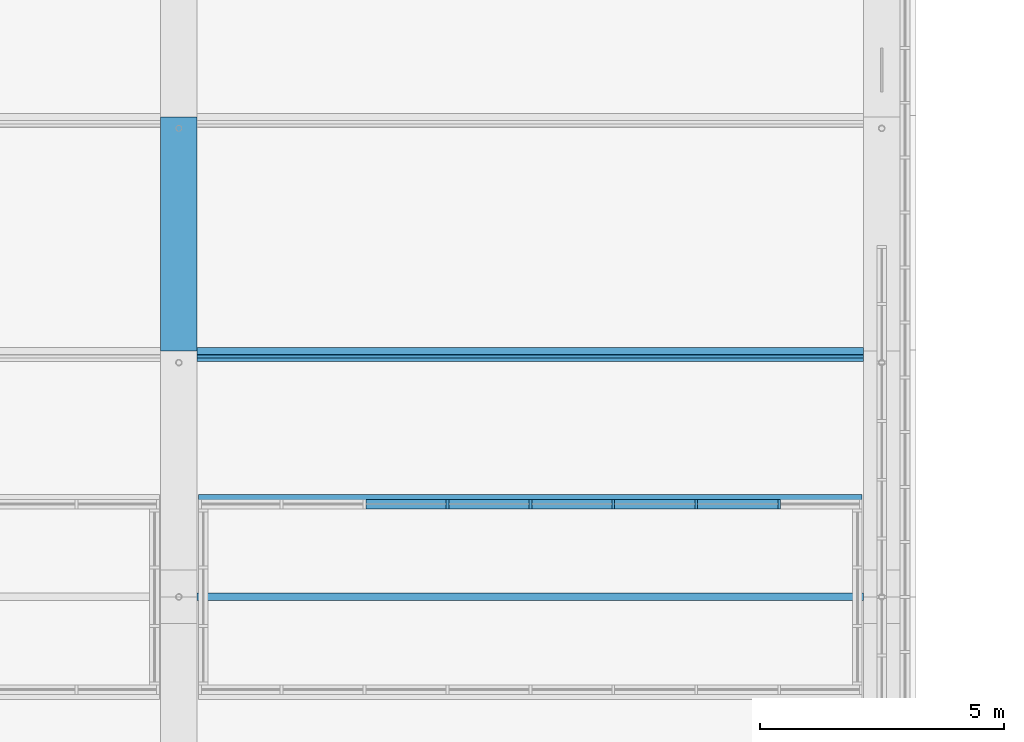
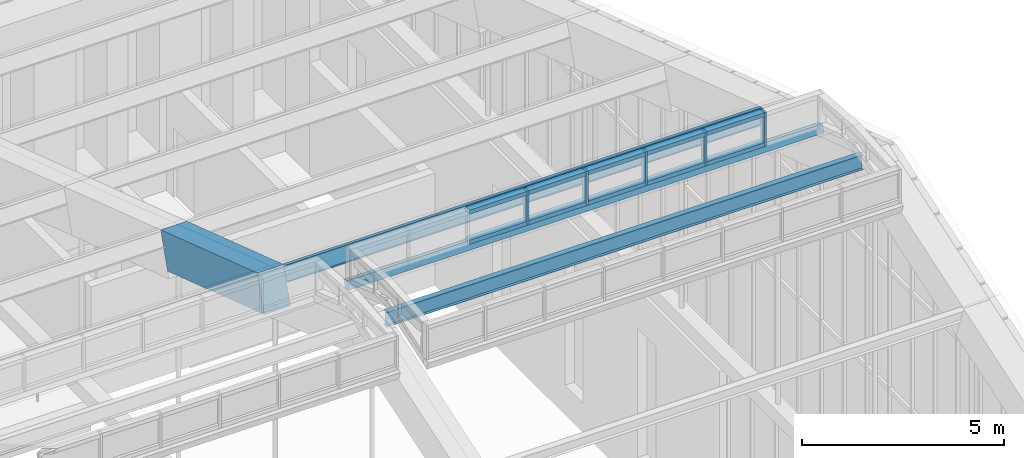
# One storey, part 79 of 149: 18 members, 1 beam, 1 element without a shape of its own.
"""IFC4 building model written with IfcOpenShell, lengths in metres."""

from ifc_helpers import new_model, si_unit, direction, frame, origin, origin_2d, place, context, subcontext, project, spatial, rectangle, i_section, extrude, material, material_profile, profile_set, type_object, element, aggregate, save


model = new_model("IFC4")

# Units and contexts
model_context = context("Model", 3, precision=1e-05, world=origin(), true_north=direction((0.0, 1.0)))
body_context = subcontext(model_context, "Body", "Model", "MODEL_VIEW")
ifc_project = project(units=[si_unit("LENGTHUNIT", "METRE"), si_unit("AREAUNIT", "SQUARE_METRE"), si_unit("VOLUMEUNIT", "CUBIC_METRE"), si_unit("PLANEANGLEUNIT", "RADIAN"), si_unit("MASSUNIT", "GRAM", prefix="KILO")], contexts=[model_context])

# Site, building, storey
site_placement = place(None, origin())
site = spatial("IfcSite", under=ifc_project, at=site_placement, CompositionType="ELEMENT")
building_placement = place(site_placement, origin())
building = spatial("IfcBuilding", under=site, at=building_placement, Name="Alderwick Market Hall", CompositionType="ELEMENT")
storey_placement = place(building_placement, frame((0.0, 0.0, 9.60009765625)))
storey = spatial("IfcBuildingStorey", under=building, at=storey_placement, Name="L01", CompositionType="ELEMENT", Elevation=9.60009765625)

# Beam
ifc_material_1 = material(Name="Concrete 5000 psi (f'c 35 MPa)", Category="concrete")
ifc_material_profile_1 = material_profile(ifc_material_1, rectangle(XDim=0.75, YDim=1.10009765625, at=origin_2d()), Name="RC 750x1100")
ifc_profile_set_1 = profile_set([ifc_material_profile_1], Name="Concrete 5000 psi (f'c 35 MPa)")
beam_type = type_object("IfcBeamType", Name="R Arch Rib Crown 750x1100", PredefinedType="BEAM", material=ifc_profile_set_1)
beam_placement = place(storey_placement, frame((136.800048828125, 84.063232421875, 14.78955078125), z_axis=(0.0, 0.948692948114, -0.316198814353), x_axis=(-1.0, 0.0, 0.0)))
element("IfcBeam", 1, at=beam_placement, inside=storey, type_object=beam_type, Name="Arch rib 7 chord 8", PredefinedType="BEAM", context=body_context, shape_type="SweptSolid", body=[
    extrude(rectangle(XDim=0.75, YDim=1.10009765625, at=origin_2d()), origin(), (0.0, 0.0, 1.0), 5.0595703125),
])

# Curtain wall, members
ifc_material_2 = material(Name="Aluminium", Category="aluminium")
curtain_wall_type = type_object("IfcCurtainWallType", Name="R Curtain Wall Frame", PredefinedType="NOTDEFINED", material=ifc_material_2)
curtain_wall_placement = place(storey_placement, origin())
curtain_wall = element("IfcCurtainWall", 2, at=curtain_wall_placement, inside=storey, type_object=curtain_wall_type, Name="Curtain wall LCW N7", PredefinedType="NOTDEFINED")
ifc_material_profile_2 = material_profile(ifc_material_2, rectangle(XDim=0.199951171875, YDim=0.06005859375, at=origin_2d()), Name="AL 60x200")
ifc_profile_set_2 = profile_set([ifc_material_profile_2], Name="Aluminium")
member_type_1 = type_object("IfcMemberType", Name="R CW Mullion 60x200", PredefinedType="MULLION", material=ifc_profile_set_2)
member_1_placement = place(storey_placement, frame((142.300048828125, 81.10009765625, 16.670166015625), z_axis=(0.0, 0.0, 1.0), x_axis=(0.0, 1.0, 0.0)))
member_1 = element("IfcMember", 3, at=member_1_placement, type_object=member_type_1, Name="LCW N7 mullion 4", PredefinedType="MULLION", context=body_context, shape_type="SweptSolid", body=[
    extrude(rectangle(XDim=0.199951171875, YDim=0.06005859375, at=origin_2d()), origin(), (0.0, 0.0, 1.0), 1.02978515625),
])
member_2_placement = place(storey_placement, frame((144.0, 81.10009765625, 16.670166015625), z_axis=(0.0, 0.0, 1.0), x_axis=(0.0, 1.0, 0.0)))
member_2 = element("IfcMember", 4, at=member_2_placement, type_object=member_type_1, Name="LCW N7 mullion 5", PredefinedType="MULLION", context=body_context, shape_type="SweptSolid", body=[
    extrude(rectangle(XDim=0.199951171875, YDim=0.06005859375, at=origin_2d()), origin(), (0.0, 0.0, 1.0), 1.02978515625),
])
member_3_placement = place(storey_placement, frame((145.699951171875, 81.10009765625, 16.670166015625), z_axis=(0.0, 0.0, 1.0), x_axis=(0.0, 1.0, 0.0)))
member_3 = element("IfcMember", 5, at=member_3_placement, type_object=member_type_1, Name="LCW N7 mullion 6", PredefinedType="MULLION", context=body_context, shape_type="SweptSolid", body=[
    extrude(rectangle(XDim=0.199951171875, YDim=0.06005859375, at=origin_2d()), origin(), (0.0, 0.0, 1.0), 1.02978515625),
])
member_4_placement = place(storey_placement, frame((147.39990234375, 81.10009765625, 16.670166015625), z_axis=(0.0, 0.0, 1.0), x_axis=(0.0, 1.0, 0.0)))
member_4 = element("IfcMember", 6, at=member_4_placement, type_object=member_type_1, Name="LCW N7 mullion 7", PredefinedType="MULLION", context=body_context, shape_type="SweptSolid", body=[
    extrude(rectangle(XDim=0.199951171875, YDim=0.06005859375, at=origin_2d()), origin(), (0.0, 0.0, 1.0), 1.02978515625),
])
member_5_placement = place(storey_placement, frame((149.10009765625, 81.10009765625, 16.670166015625), z_axis=(0.0, 0.0, 1.0), x_axis=(0.0, 1.0, 0.0)))
member_5 = element("IfcMember", 7, at=member_5_placement, type_object=member_type_1, Name="LCW N7 mullion 8", PredefinedType="MULLION", context=body_context, shape_type="SweptSolid", body=[
    extrude(rectangle(XDim=0.199951171875, YDim=0.06005859375, at=origin_2d()), origin(), (0.0, 0.0, 1.0), 1.02978515625),
])
ifc_material_profile_3 = material_profile(ifc_material_2, rectangle(XDim=0.199951171875, YDim=0.1201171875, at=origin_2d()), Name="AL 120x200")
ifc_profile_set_3 = profile_set([ifc_material_profile_3], Name="Aluminium")
member_type_2 = type_object("IfcMemberType", Name="R CW Transom 120x200", PredefinedType="USERDEFINED", material=ifc_profile_set_3)
member_6_placement = place(storey_placement, frame((140.6298828125, 81.10009765625, 16.730224609375), z_axis=(1.0, 0.0, 0.0), x_axis=(0.0, 1.0, 0.0)))
member_6 = element("IfcMember", 8, at=member_6_placement, type_object=member_type_2, Name="LCW N7 sill transom 3", ObjectType="TRANSOM", PredefinedType="USERDEFINED", context=body_context, shape_type="SweptSolid", body=[
    extrude(rectangle(XDim=0.199951171875, YDim=0.1201171875, at=origin_2d()), origin(), (0.0, 0.0, 1.0), 1.64013671875),
])
member_7_placement = place(storey_placement, frame((140.6298828125, 81.10009765625, 17.639892578125), z_axis=(1.0, 0.0, 0.0), x_axis=(0.0, 1.0, 0.0)))
member_7 = element("IfcMember", 9, at=member_7_placement, type_object=member_type_2, Name="LCW N7 head transom 3", ObjectType="TRANSOM", PredefinedType="USERDEFINED", context=body_context, shape_type="SweptSolid", body=[
    extrude(rectangle(XDim=0.199951171875, YDim=0.1201171875, at=origin_2d()), origin(), (0.0, 0.0, 1.0), 1.64013671875),
])
member_8_placement = place(storey_placement, frame((142.330078125, 81.10009765625, 16.730224609375), z_axis=(1.0, 0.0, 0.0), x_axis=(0.0, 1.0, 0.0)))
member_8 = element("IfcMember", 10, at=member_8_placement, type_object=member_type_2, Name="LCW N7 sill transom 4", ObjectType="TRANSOM", PredefinedType="USERDEFINED", context=body_context, shape_type="SweptSolid", body=[
    extrude(rectangle(XDim=0.199951171875, YDim=0.1201171875, at=origin_2d()), origin(), (0.0, 0.0, 1.0), 1.639892578125),
])
member_9_placement = place(storey_placement, frame((142.330078125, 81.10009765625, 17.639892578125), z_axis=(1.0, 0.0, 0.0), x_axis=(0.0, 1.0, 0.0)))
member_9 = element("IfcMember", 11, at=member_9_placement, type_object=member_type_2, Name="LCW N7 head transom 4", ObjectType="TRANSOM", PredefinedType="USERDEFINED", context=body_context, shape_type="SweptSolid", body=[
    extrude(rectangle(XDim=0.199951171875, YDim=0.1201171875, at=origin_2d()), origin(), (0.0, 0.0, 1.0), 1.639892578125),
])
member_10_placement = place(storey_placement, frame((144.030029296875, 81.10009765625, 16.730224609375), z_axis=(1.0, 0.0, 0.0), x_axis=(0.0, 1.0, 0.0)))
member_10 = element("IfcMember", 12, at=member_10_placement, type_object=member_type_2, Name="LCW N7 sill transom 5", ObjectType="TRANSOM", PredefinedType="USERDEFINED", context=body_context, shape_type="SweptSolid", body=[
    extrude(rectangle(XDim=0.199951171875, YDim=0.1201171875, at=origin_2d()), origin(), (0.0, 0.0, 1.0), 1.639892578125),
])
member_11_placement = place(storey_placement, frame((144.030029296875, 81.10009765625, 17.639892578125), z_axis=(1.0, 0.0, 0.0), x_axis=(0.0, 1.0, 0.0)))
member_11 = element("IfcMember", 13, at=member_11_placement, type_object=member_type_2, Name="LCW N7 head transom 5", ObjectType="TRANSOM", PredefinedType="USERDEFINED", context=body_context, shape_type="SweptSolid", body=[
    extrude(rectangle(XDim=0.199951171875, YDim=0.1201171875, at=origin_2d()), origin(), (0.0, 0.0, 1.0), 1.639892578125),
])
member_12_placement = place(storey_placement, frame((145.72998046875, 81.10009765625, 16.730224609375), z_axis=(1.0, 0.0, 0.0), x_axis=(0.0, 1.0, 0.0)))
member_12 = element("IfcMember", 14, at=member_12_placement, type_object=member_type_2, Name="LCW N7 sill transom 6", ObjectType="TRANSOM", PredefinedType="USERDEFINED", context=body_context, shape_type="SweptSolid", body=[
    extrude(rectangle(XDim=0.199951171875, YDim=0.1201171875, at=origin_2d()), origin(), (0.0, 0.0, 1.0), 1.64013671875),
])
member_13_placement = place(storey_placement, frame((145.72998046875, 81.10009765625, 17.639892578125), z_axis=(1.0, 0.0, 0.0), x_axis=(0.0, 1.0, 0.0)))
member_13 = element("IfcMember", 15, at=member_13_placement, type_object=member_type_2, Name="LCW N7 head transom 6", ObjectType="TRANSOM", PredefinedType="USERDEFINED", context=body_context, shape_type="SweptSolid", body=[
    extrude(rectangle(XDim=0.199951171875, YDim=0.1201171875, at=origin_2d()), origin(), (0.0, 0.0, 1.0), 1.64013671875),
])
member_14_placement = place(storey_placement, frame((147.429931640625, 81.10009765625, 16.730224609375), z_axis=(1.0, 0.0, 0.0), x_axis=(0.0, 1.0, 0.0)))
member_14 = element("IfcMember", 16, at=member_14_placement, type_object=member_type_2, Name="LCW N7 sill transom 7", ObjectType="TRANSOM", PredefinedType="USERDEFINED", context=body_context, shape_type="SweptSolid", body=[
    extrude(rectangle(XDim=0.199951171875, YDim=0.1201171875, at=origin_2d()), origin(), (0.0, 0.0, 1.0), 1.64013671875),
])
member_15_placement = place(storey_placement, frame((147.429931640625, 81.10009765625, 17.639892578125), z_axis=(1.0, 0.0, 0.0), x_axis=(0.0, 1.0, 0.0)))
member_15 = element("IfcMember", 17, at=member_15_placement, type_object=member_type_2, Name="LCW N7 head transom 7", ObjectType="TRANSOM", PredefinedType="USERDEFINED", context=body_context, shape_type="SweptSolid", body=[
    extrude(rectangle(XDim=0.199951171875, YDim=0.1201171875, at=origin_2d()), origin(), (0.0, 0.0, 1.0), 1.64013671875),
])
ifc_material_3 = material(Name="Steel ASTM A572 Grade 50", Category="steel")
ifc_material_profile_4 = material_profile(ifc_material_3, rectangle(XDim=0.199951171875, YDim=0.25, at=origin_2d()), Name="Steel plate curb 200x250")
ifc_profile_set_4 = profile_set([ifc_material_profile_4], Name="Steel ASTM A572 Grade 50")
member_type_3 = type_object("IfcMemberType", Name="R Lantern Curb 200x250", PredefinedType="MEMBER", material=ifc_profile_set_4)
member_16_placement = place(storey_placement, frame((137.199951171875, 81.164794921875, 16.551513671875), z_axis=(1.0, 0.0, 0.0), x_axis=(0.0, 0.948683297073, -0.316227768949)))
member_16 = element("IfcMember", 18, at=member_16_placement, type_object=member_type_3, Name="Lantern curb N7", PredefinedType="MEMBER", context=body_context, shape_type="SweptSolid", body=[
    extrude(rectangle(XDim=0.199951171875, YDim=0.25, at=origin_2d()), origin(), (0.0, 0.0, 1.0), 13.60009765625),
])
aggregate(curtain_wall, [member_1, member_2, member_3, member_4, member_5, member_6, member_7, member_8, member_9, member_10, member_11, member_12, member_13, member_14, member_15, member_16])

# Members
ifc_material_4 = material(Name="Steel ASTM A992 Grade 50", Category="steel")
ifc_material_profile_5 = material_profile(ifc_material_4, i_section(OverallWidth=0.153076171875, OverallDepth=0.455078125, WebThickness=0.008056640625, FlangeThickness=0.01318359375, at=origin_2d()), Name="W18x40")
ifc_profile_set_5 = profile_set([ifc_material_profile_5], Name="Steel ASTM A992 Grade 50")
member_type_4 = type_object("IfcMemberType", Name="R Purlin W18x40", PredefinedType="PURLIN", material=ifc_profile_set_5)
for number, where, z_axis, x_axis, name in (
    (19, (137.175048828125, 79.199951171875, 16.7314453125), (1.0, 0.0, 0.0), (0.0, 1.0, 0.0), "Roof purlin 7.7"),
    (20, (137.175048828125, 84.163330078125, 15.08984375), (1.0, 0.0, 0.0), (0.0, 0.948683297073, -0.316227768949), "Roof purlin 8.7"),
):
    element("IfcMember", number, at=place(storey_placement, frame(where, z_axis=z_axis, x_axis=x_axis)), inside=storey, type_object=member_type_4, Name=name, PredefinedType="PURLIN", context=body_context, shape_type="SweptSolid", body=[
        extrude(i_section(OverallWidth=0.153076171875, OverallDepth=0.455078125, WebThickness=0.008056640625, FlangeThickness=0.01318359375, at=origin_2d()), origin(), (0.0, 0.0, 1.0), 13.64990234375),
    ])

save(model, "model.ifc")
